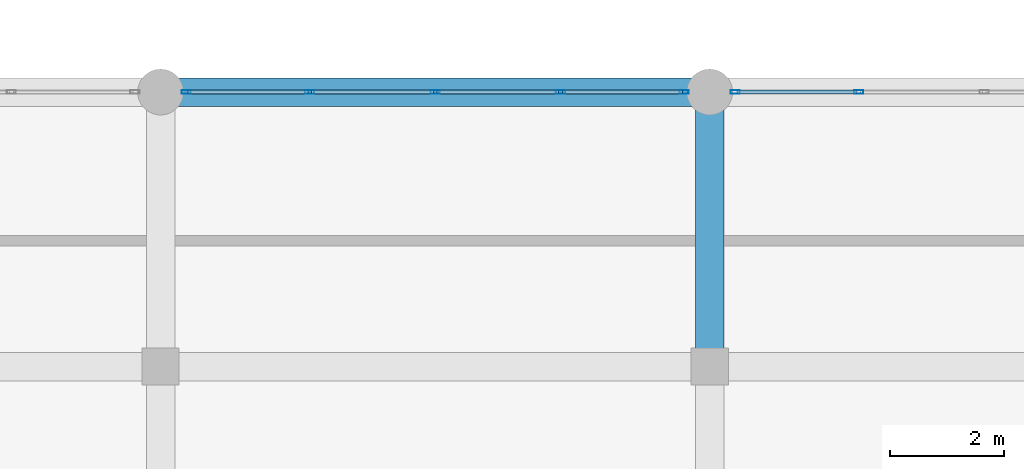
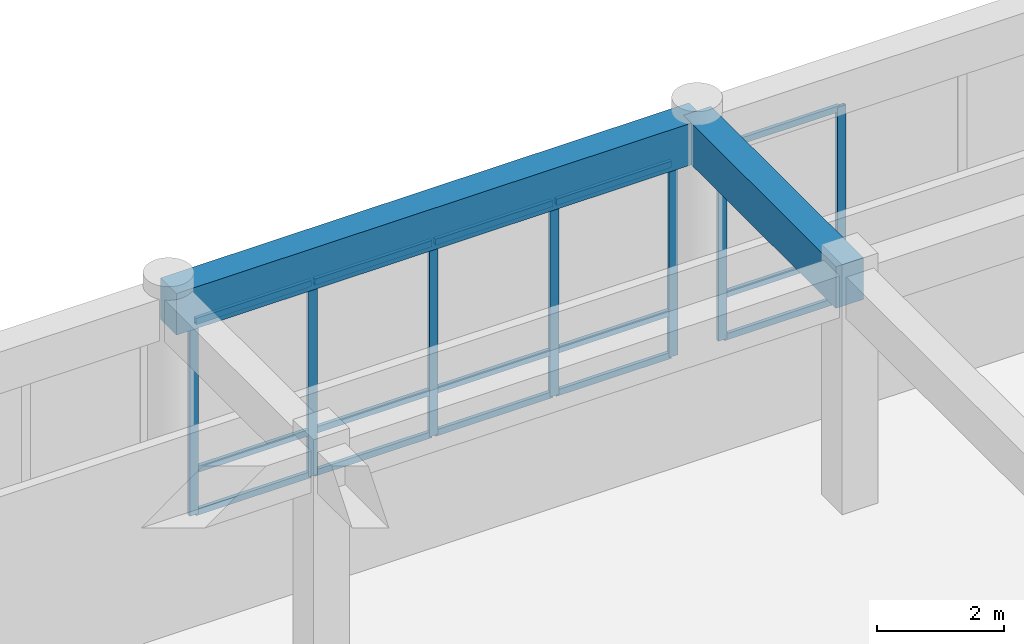
# One storey, part 11 of 101: 22 members, 2 beams, 2 elements without a shape of their own.
"""IFC4 building model written with IfcOpenShell, lengths in metres."""

from ifc_helpers import new_model, si_unit, direction, frame, origin, origin_2d, place, context, subcontext, project, spatial, rectangle, hollow_rectangle, extrude, material, layer, layer_set, material_profile, profile_set, type_object, element, aggregate, save


model = new_model("IFC4")

# Units and contexts
model_context = context("Model", 3, precision=1e-05, world=origin(), true_north=direction((0.0, 1.0)))
body_context = subcontext(model_context, "Body", "Model", "MODEL_VIEW")
ifc_project = project(units=[si_unit("LENGTHUNIT", "METRE"), si_unit("AREAUNIT", "SQUARE_METRE"), si_unit("VOLUMEUNIT", "CUBIC_METRE"), si_unit("PLANEANGLEUNIT", "RADIAN"), si_unit("MASSUNIT", "GRAM", prefix="KILO")], contexts=[model_context])

# Site, building, storey
site_placement = place(None, origin())
site = spatial("IfcSite", under=ifc_project, at=site_placement, CompositionType="ELEMENT")
building_placement = place(site_placement, origin())
building = spatial("IfcBuilding", under=site, at=building_placement, Name="Nakhvara Creek Congress Hotel", CompositionType="ELEMENT")
storey_placement = place(building_placement, frame((0.0, 0.0, 16.199951171875)))
storey = spatial("IfcBuildingStorey", under=building, at=storey_placement, Name="L03", CompositionType="ELEMENT", Elevation=16.199951171875)

# Beams
ifc_material_1 = material(Name="Concrete C40/50", Category="concrete")
ifc_material_profile_1 = material_profile(ifc_material_1, rectangle(XDim=0.5, YDim=0.800048828125, at=origin_2d()), Name="RC-BM 500x800", Category="LoadBearing")
ifc_profile_set_1 = profile_set([ifc_material_profile_1], Name="Concrete C40/50")
beam_type = type_object("IfcBeamType", Name="BM-RC-500X800", PredefinedType="BEAM", material=ifc_profile_set_1)
beam_1_placement = place(storey_placement, frame((96.0, 43.199951171875, 4.14013671875), z_axis=(1.0, 0.0, 0.0), x_axis=(0.0, 1.0, 0.0)))
element("IfcBeam", 1, at=beam_1_placement, inside=storey, type_object=beam_type, Name="Beam B03-L03-1731", PredefinedType="BEAM", context=body_context, shape_type="SweptSolid", body=[
    extrude(rectangle(XDim=0.5, YDim=0.800048828125, at=origin_2d()), origin(), (0.0, 0.0, 1.0), 9.60009765625),
])
beam_2_placement = place(storey_placement, frame((105.60009765625, 38.39990234375, 4.14013671875), z_axis=(0.0, 1.0, 0.0), x_axis=(-1.0, 0.0, 0.0)))
element("IfcBeam", 2, at=beam_2_placement, inside=storey, type_object=beam_type, Name="Beam B03-L03-1742", PredefinedType="BEAM", context=body_context, shape_type="SweptSolid", body=[
    extrude(rectangle(XDim=0.5, YDim=0.800048828125, at=origin_2d()), origin(), (0.0, 0.0, 1.0), 4.800048828125),
])

# Curtain wall, members
ifc_material_2 = material(Name="Bronze-anodised aluminium AW-6063-T6 and double-silver low-E glass", Category="aluminium")
ifc_layer = layer(ifc_material_2, 0.199951171875)
ifc_layer_set = layer_set([ifc_layer], Name="Bronze-anodised aluminium AW-6063-T6 and double-silver low-E glass")
curtain_wall_type = type_object("IfcCurtainWallType", Name="CW-POD-STICK", PredefinedType="NOTDEFINED", material=ifc_layer_set)
curtain_wall_1_placement = place(storey_placement, origin())
curtain_wall_1 = element("IfcCurtainWall", 3, at=curtain_wall_1_placement, inside=storey, type_object=curtain_wall_type, Name="Curtain Wall CW053", PredefinedType="NOTDEFINED")
ifc_material_3 = material(Name="Bronze-anodised aluminium AW-6063-T6", Category="aluminium")
ifc_material_profile_2 = material_profile(ifc_material_3, hollow_rectangle(XDim=0.06494140625, YDim=0.159912109375, WallThickness=0.00390625, at=origin_2d()), Name="ALU-MULL 65x160x4", Category="LoadBearing")
ifc_profile_set_2 = profile_set([ifc_material_profile_2], Name="Bronze-anodised aluminium AW-6063-T6")
member_type_1 = type_object("IfcMemberType", Name="CW-MULL-160", PredefinedType="MULLION", material=ifc_profile_set_2)
member_1_placement = place(storey_placement, frame((96.447509765625, 43.199951171875, 0.0), z_axis=(0.0, 0.0, 1.0), x_axis=(0.0, 1.0, 0.0)))
member_1 = element("IfcMember", 4, at=member_1_placement, type_object=member_type_1, Name="CW053 mullion 1", PredefinedType="MULLION", context=body_context, shape_type="SweptSolid", body=[
    extrude(hollow_rectangle(XDim=0.06494140625, YDim=0.159912109375, WallThickness=0.00390625, at=origin_2d()), origin(), (0.0, 0.0, 1.0), 3.73193359375),
])
member_2_placement = place(storey_placement, frame((98.607421875, 43.199951171875, 0.0), z_axis=(0.0, 0.0, 1.0), x_axis=(0.0, 1.0, 0.0)))
member_2 = element("IfcMember", 5, at=member_2_placement, type_object=member_type_1, Name="CW053 mullion 2", PredefinedType="MULLION", context=body_context, shape_type="SweptSolid", body=[
    extrude(hollow_rectangle(XDim=0.06494140625, YDim=0.159912109375, WallThickness=0.00390625, at=origin_2d()), origin(), (0.0, 0.0, 1.0), 3.73193359375),
])
member_3_placement = place(storey_placement, frame((100.800048828125, 43.199951171875, 0.0), z_axis=(0.0, 0.0, 1.0), x_axis=(0.0, 1.0, 0.0)))
member_3 = element("IfcMember", 6, at=member_3_placement, type_object=member_type_1, Name="CW053 mullion 3", PredefinedType="MULLION", context=body_context, shape_type="SweptSolid", body=[
    extrude(hollow_rectangle(XDim=0.06494140625, YDim=0.159912109375, WallThickness=0.00390625, at=origin_2d()), origin(), (0.0, 0.0, 1.0), 3.73193359375),
])
member_4_placement = place(storey_placement, frame((102.992431640625, 43.199951171875, 0.0), z_axis=(0.0, 0.0, 1.0), x_axis=(0.0, 1.0, 0.0)))
member_4 = element("IfcMember", 7, at=member_4_placement, type_object=member_type_1, Name="CW053 mullion 4", PredefinedType="MULLION", context=body_context, shape_type="SweptSolid", body=[
    extrude(hollow_rectangle(XDim=0.06494140625, YDim=0.159912109375, WallThickness=0.00390625, at=origin_2d()), origin(), (0.0, 0.0, 1.0), 3.73193359375),
])
member_5_placement = place(storey_placement, frame((105.152587890625, 43.199951171875, 0.0), z_axis=(0.0, 0.0, 1.0), x_axis=(0.0, 1.0, 0.0)))
member_5 = element("IfcMember", 8, at=member_5_placement, type_object=member_type_1, Name="CW053 mullion 5", PredefinedType="MULLION", context=body_context, shape_type="SweptSolid", body=[
    extrude(hollow_rectangle(XDim=0.06494140625, YDim=0.159912109375, WallThickness=0.00390625, at=origin_2d()), origin(), (0.0, 0.0, 1.0), 3.73193359375),
])

curtain_wall_2_placement = place(storey_placement, origin())
curtain_wall_2 = element("IfcCurtainWall", 9, at=curtain_wall_2_placement, inside=storey, type_object=curtain_wall_type, Name="Curtain Wall CW055", PredefinedType="NOTDEFINED")
member_6_placement = place(storey_placement, frame((106.047607421875, 43.199951171875, 0.0), z_axis=(0.0, 0.0, 1.0), x_axis=(0.0, 1.0, 0.0)))
member_6 = element("IfcMember", 10, at=member_6_placement, type_object=member_type_1, Name="CW055 mullion 1", PredefinedType="MULLION", context=body_context, shape_type="SweptSolid", body=[
    extrude(hollow_rectangle(XDim=0.06494140625, YDim=0.159912109375, WallThickness=0.00390625, at=origin_2d()), origin(), (0.0, 0.0, 1.0), 3.73193359375),
])
member_7_placement = place(storey_placement, frame((108.20751953125, 43.199951171875, 0.0), z_axis=(0.0, 0.0, 1.0), x_axis=(0.0, 1.0, 0.0)))
member_7 = element("IfcMember", 11, at=member_7_placement, type_object=member_type_1, Name="CW055 mullion 2", PredefinedType="MULLION", context=body_context, shape_type="SweptSolid", body=[
    extrude(hollow_rectangle(XDim=0.06494140625, YDim=0.159912109375, WallThickness=0.00390625, at=origin_2d()), origin(), (0.0, 0.0, 1.0), 3.73193359375),
])

# Member
ifc_material_profile_3 = material_profile(ifc_material_3, hollow_rectangle(XDim=0.06494140625, YDim=0.1201171875, WallThickness=0.00390625, at=origin_2d()), Name="ALU-TRAN 65x120x4", Category="LoadBearing")
ifc_profile_set_3 = profile_set([ifc_material_profile_3], Name="Bronze-anodised aluminium AW-6063-T6")
member_type_2 = type_object("IfcMemberType", Name="CW-TRAN-120", PredefinedType="USERDEFINED", material=ifc_profile_set_3)
member_8_placement = place(storey_placement, frame((96.47998046875, 43.199951171875, 0.032470703125), z_axis=(1.0, 0.0, 0.0), x_axis=(0.0, 1.0, 0.0)))
member_8 = element("IfcMember", 12, at=member_8_placement, type_object=member_type_2, Name="CW053 transom 1.1", ObjectType="TRANSOM", PredefinedType="USERDEFINED", context=body_context, shape_type="SweptSolid", body=[
    extrude(hollow_rectangle(XDim=0.06494140625, YDim=0.1201171875, WallThickness=0.00390625, at=origin_2d()), origin(), (0.0, 0.0, 1.0), 2.094970703125),
])

member_9_placement = place(storey_placement, frame((96.47998046875, 43.199951171875, 0.85009765625), z_axis=(1.0, 0.0, 0.0), x_axis=(0.0, 1.0, 0.0)))
member_9 = element("IfcMember", 13, at=member_9_placement, type_object=member_type_2, Name="CW053 transom 1.2", ObjectType="TRANSOM", PredefinedType="USERDEFINED", context=body_context, shape_type="SweptSolid", body=[
    extrude(hollow_rectangle(XDim=0.06494140625, YDim=0.1201171875, WallThickness=0.00390625, at=origin_2d()), origin(), (0.0, 0.0, 1.0), 2.094970703125),
])

member_10_placement = place(storey_placement, frame((96.47998046875, 43.199951171875, 3.699462890625), z_axis=(1.0, 0.0, 0.0), x_axis=(0.0, 1.0, 0.0)))
member_10 = element("IfcMember", 14, at=member_10_placement, type_object=member_type_2, Name="CW053 transom 1.3", ObjectType="TRANSOM", PredefinedType="USERDEFINED", context=body_context, shape_type="SweptSolid", body=[
    extrude(hollow_rectangle(XDim=0.06494140625, YDim=0.1201171875, WallThickness=0.00390625, at=origin_2d()), origin(), (0.0, 0.0, 1.0), 2.094970703125),
])

member_11_placement = place(storey_placement, frame((98.639892578125, 43.199951171875, 0.032470703125), z_axis=(1.0, 0.0, 0.0), x_axis=(0.0, 1.0, 0.0)))
member_11 = element("IfcMember", 15, at=member_11_placement, type_object=member_type_2, Name="CW053 transom 2.1", ObjectType="TRANSOM", PredefinedType="USERDEFINED", context=body_context, shape_type="SweptSolid", body=[
    extrude(hollow_rectangle(XDim=0.06494140625, YDim=0.1201171875, WallThickness=0.00390625, at=origin_2d()), origin(), (0.0, 0.0, 1.0), 2.127685546875),
])

member_12_placement = place(storey_placement, frame((98.639892578125, 43.199951171875, 0.85009765625), z_axis=(1.0, 0.0, 0.0), x_axis=(0.0, 1.0, 0.0)))
member_12 = element("IfcMember", 16, at=member_12_placement, type_object=member_type_2, Name="CW053 transom 2.2", ObjectType="TRANSOM", PredefinedType="USERDEFINED", context=body_context, shape_type="SweptSolid", body=[
    extrude(hollow_rectangle(XDim=0.06494140625, YDim=0.1201171875, WallThickness=0.00390625, at=origin_2d()), origin(), (0.0, 0.0, 1.0), 2.127685546875),
])

member_13_placement = place(storey_placement, frame((98.639892578125, 43.199951171875, 3.699462890625), z_axis=(1.0, 0.0, 0.0), x_axis=(0.0, 1.0, 0.0)))
member_13 = element("IfcMember", 17, at=member_13_placement, type_object=member_type_2, Name="CW053 transom 2.3", ObjectType="TRANSOM", PredefinedType="USERDEFINED", context=body_context, shape_type="SweptSolid", body=[
    extrude(hollow_rectangle(XDim=0.06494140625, YDim=0.1201171875, WallThickness=0.00390625, at=origin_2d()), origin(), (0.0, 0.0, 1.0), 2.127685546875),
])

member_14_placement = place(storey_placement, frame((100.83251953125, 43.199951171875, 0.032470703125), z_axis=(1.0, 0.0, 0.0), x_axis=(0.0, 1.0, 0.0)))
member_14 = element("IfcMember", 18, at=member_14_placement, type_object=member_type_2, Name="CW053 transom 3.1", ObjectType="TRANSOM", PredefinedType="USERDEFINED", context=body_context, shape_type="SweptSolid", body=[
    extrude(hollow_rectangle(XDim=0.06494140625, YDim=0.1201171875, WallThickness=0.00390625, at=origin_2d()), origin(), (0.0, 0.0, 1.0), 2.12744140625),
])

member_15_placement = place(storey_placement, frame((100.83251953125, 43.199951171875, 0.85009765625), z_axis=(1.0, 0.0, 0.0), x_axis=(0.0, 1.0, 0.0)))
member_15 = element("IfcMember", 19, at=member_15_placement, type_object=member_type_2, Name="CW053 transom 3.2", ObjectType="TRANSOM", PredefinedType="USERDEFINED", context=body_context, shape_type="SweptSolid", body=[
    extrude(hollow_rectangle(XDim=0.06494140625, YDim=0.1201171875, WallThickness=0.00390625, at=origin_2d()), origin(), (0.0, 0.0, 1.0), 2.12744140625),
])

member_16_placement = place(storey_placement, frame((100.83251953125, 43.199951171875, 3.699462890625), z_axis=(1.0, 0.0, 0.0), x_axis=(0.0, 1.0, 0.0)))
member_16 = element("IfcMember", 20, at=member_16_placement, type_object=member_type_2, Name="CW053 transom 3.3", ObjectType="TRANSOM", PredefinedType="USERDEFINED", context=body_context, shape_type="SweptSolid", body=[
    extrude(hollow_rectangle(XDim=0.06494140625, YDim=0.1201171875, WallThickness=0.00390625, at=origin_2d()), origin(), (0.0, 0.0, 1.0), 2.12744140625),
])

member_17_placement = place(storey_placement, frame((103.02490234375, 43.199951171875, 0.032470703125), z_axis=(1.0, 0.0, 0.0), x_axis=(0.0, 1.0, 0.0)))
member_17 = element("IfcMember", 21, at=member_17_placement, type_object=member_type_2, Name="CW053 transom 4.1", ObjectType="TRANSOM", PredefinedType="USERDEFINED", context=body_context, shape_type="SweptSolid", body=[
    extrude(hollow_rectangle(XDim=0.06494140625, YDim=0.1201171875, WallThickness=0.00390625, at=origin_2d()), origin(), (0.0, 0.0, 1.0), 2.09521484375),
])

member_18_placement = place(storey_placement, frame((103.02490234375, 43.199951171875, 0.85009765625), z_axis=(1.0, 0.0, 0.0), x_axis=(0.0, 1.0, 0.0)))
member_18 = element("IfcMember", 22, at=member_18_placement, type_object=member_type_2, Name="CW053 transom 4.2", ObjectType="TRANSOM", PredefinedType="USERDEFINED", context=body_context, shape_type="SweptSolid", body=[
    extrude(hollow_rectangle(XDim=0.06494140625, YDim=0.1201171875, WallThickness=0.00390625, at=origin_2d()), origin(), (0.0, 0.0, 1.0), 2.09521484375),
])

member_19_placement = place(storey_placement, frame((103.02490234375, 43.199951171875, 3.699462890625), z_axis=(1.0, 0.0, 0.0), x_axis=(0.0, 1.0, 0.0)))
member_19 = element("IfcMember", 23, at=member_19_placement, type_object=member_type_2, Name="CW053 transom 4.3", ObjectType="TRANSOM", PredefinedType="USERDEFINED", context=body_context, shape_type="SweptSolid", body=[
    extrude(hollow_rectangle(XDim=0.06494140625, YDim=0.1201171875, WallThickness=0.00390625, at=origin_2d()), origin(), (0.0, 0.0, 1.0), 2.09521484375),
])

aggregate(curtain_wall_1, [member_1, member_2, member_3, member_4, member_5, member_8, member_9, member_10, member_11, member_12, member_13, member_14, member_15, member_16, member_17, member_18, member_19])

member_20_placement = place(storey_placement, frame((106.080078125, 43.199951171875, 0.032470703125), z_axis=(1.0, 0.0, 0.0), x_axis=(0.0, 1.0, 0.0)))
member_20 = element("IfcMember", 24, at=member_20_placement, type_object=member_type_2, Name="CW055 transom 1.1", ObjectType="TRANSOM", PredefinedType="USERDEFINED", context=body_context, shape_type="SweptSolid", body=[
    extrude(hollow_rectangle(XDim=0.06494140625, YDim=0.1201171875, WallThickness=0.00390625, at=origin_2d()), origin(), (0.0, 0.0, 1.0), 2.094970703125),
])

member_21_placement = place(storey_placement, frame((106.080078125, 43.199951171875, 0.85009765625), z_axis=(1.0, 0.0, 0.0), x_axis=(0.0, 1.0, 0.0)))
member_21 = element("IfcMember", 25, at=member_21_placement, type_object=member_type_2, Name="CW055 transom 1.2", ObjectType="TRANSOM", PredefinedType="USERDEFINED", context=body_context, shape_type="SweptSolid", body=[
    extrude(hollow_rectangle(XDim=0.06494140625, YDim=0.1201171875, WallThickness=0.00390625, at=origin_2d()), origin(), (0.0, 0.0, 1.0), 2.094970703125),
])

member_22_placement = place(storey_placement, frame((106.080078125, 43.199951171875, 3.699462890625), z_axis=(1.0, 0.0, 0.0), x_axis=(0.0, 1.0, 0.0)))
member_22 = element("IfcMember", 26, at=member_22_placement, type_object=member_type_2, Name="CW055 transom 1.3", ObjectType="TRANSOM", PredefinedType="USERDEFINED", context=body_context, shape_type="SweptSolid", body=[
    extrude(hollow_rectangle(XDim=0.06494140625, YDim=0.1201171875, WallThickness=0.00390625, at=origin_2d()), origin(), (0.0, 0.0, 1.0), 2.094970703125),
])

aggregate(curtain_wall_2, [member_6, member_7, member_20, member_21, member_22])

save(model, "model.ifc")
